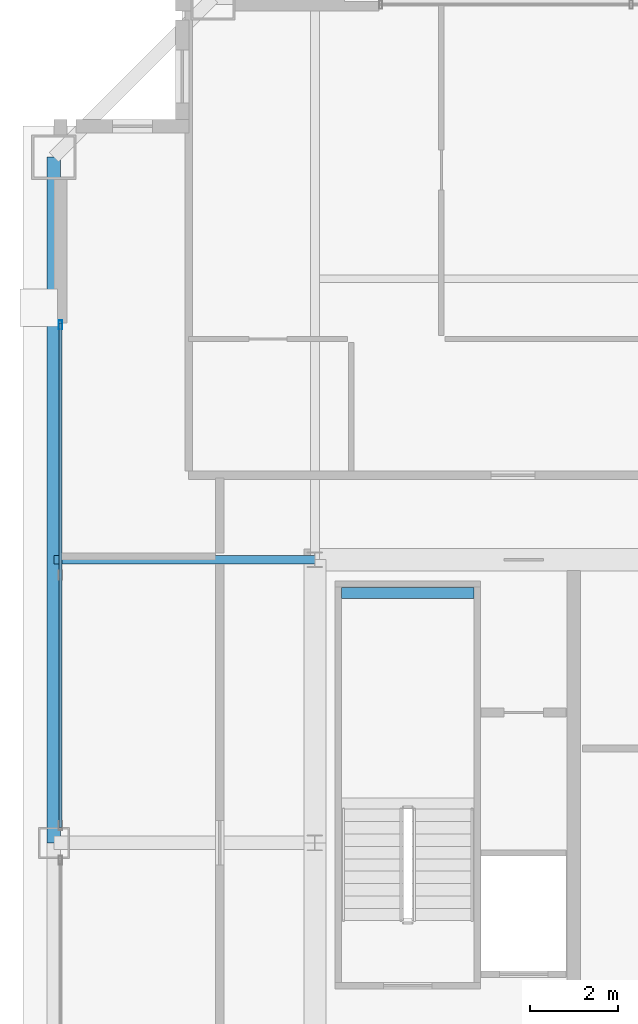
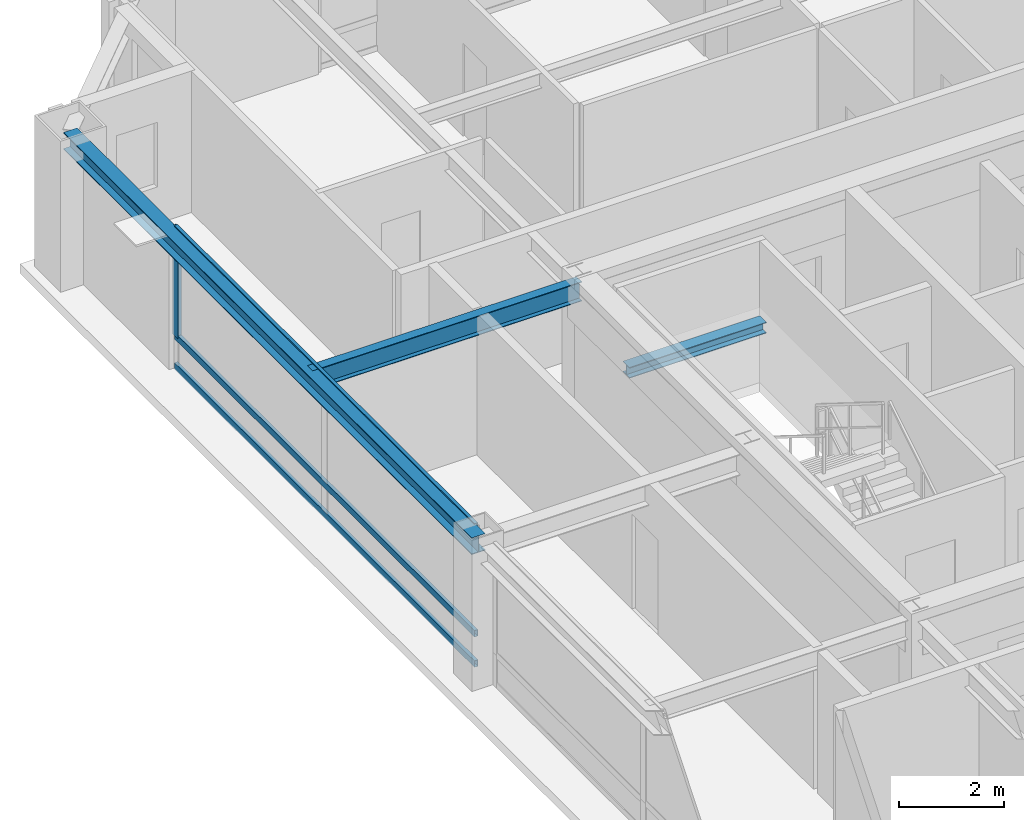
# One storey, part 12 of 35: 4 members, 3 beams, 1 element without a shape of its own.
"""IFC4 building model written with IfcOpenShell, lengths in metres."""

from ifc_helpers import new_model, si_unit, direction, frame, origin, origin_2d, place, context, subcontext, project, spatial, hollow_rectangle, i_section, extrude, source, transform, mapped, material, layer, layer_set, material_profile, profile_set, type_object, element, aggregate, save


model = new_model("IFC4")

# Units and contexts
model_context = context("Model", 3, precision=1e-05, world=origin(), true_north=direction((0.0, 1.0)))
body_context = subcontext(model_context, "Body", "Model", "MODEL_VIEW")
ifc_project = project(units=[si_unit("LENGTHUNIT", "METRE"), si_unit("AREAUNIT", "SQUARE_METRE"), si_unit("VOLUMEUNIT", "CUBIC_METRE"), si_unit("PLANEANGLEUNIT", "RADIAN"), si_unit("MASSUNIT", "GRAM", prefix="KILO"), si_unit("THERMODYNAMICTEMPERATUREUNIT", "KELVIN"), si_unit("POWERUNIT", "WATT")], contexts=[model_context])

# Site, building, storey
site_placement = place(None, origin())
site = spatial("IfcSite", under=ifc_project, at=site_placement, CompositionType="ELEMENT")
building_placement = place(site_placement, origin())
building = spatial("IfcBuilding", under=site, at=building_placement, Name="Yuzanri Waterfront Tower", CompositionType="ELEMENT")
storey_placement = place(building_placement, frame((0.0, 0.0, 318.199951171875)))
storey = spatial("IfcBuildingStorey", under=building, at=storey_placement, Name="L85", CompositionType="ELEMENT", Elevation=318.199951171875)

# Beams
ifc_material_1 = material(Name="Steel Q355B", Category="steel")
ifc_material_profile_1 = material_profile(ifc_material_1, i_section(OverallWidth=0.300048828125, OverallDepth=0.389892578125, WebThickness=0.010009765625, FlangeThickness=0.01611328125, at=origin_2d()), Name="HM 390x300x10x16")
ifc_profile_set_1 = profile_set([ifc_material_profile_1], Name="Steel Q355B")
beam_type_1 = type_object("IfcBeamType", Name="Perimeter Spandrel Q355B HM 390x300", PredefinedType="SPANDREL", material=ifc_profile_set_1)
shared_shape_1 = source(origin(), body_context, "Body", "SweptSolid", [
    extrude(i_section(OverallWidth=0.300048828125, OverallDepth=0.389892578125, WebThickness=0.010009765625, FlangeThickness=0.01611328125, at=origin_2d()), origin(), (0.0, 0.0, 1.0), 15.5),
])
beam_1_placement = place(storey_placement, frame((17.89990234375, 41.300048828125, 3.0849609375), z_axis=(0.0, -1.0, 0.0), x_axis=(1.0, 0.0, 0.0)))
element("IfcBeam", 1, at=beam_1_placement, inside=storey, type_object=beam_type_1, Name="L85 Perimeter Spandrel W3-W2", PredefinedType="SPANDREL", context=body_context, shape_type="MappedRepresentation", body=[
    mapped(shared_shape_1, transform((0.0, 0.0, 0.0), scale=1.0)),
])
ifc_material_2 = material(Name="Steel Q355B", Category="steel")
ifc_material_profile_2 = material_profile(ifc_material_2, i_section(OverallWidth=0.199951171875, OverallDepth=0.449951171875, WebThickness=0.009033203125, FlangeThickness=0.013916015625, at=origin_2d()), Name="HN 450x200x9x14")
ifc_profile_set_2 = profile_set([ifc_material_profile_2], Name="Steel Q355B")
beam_type_2 = type_object("IfcBeamType", Name="Secondary Floor Beam Q355B HN 450x200", PredefinedType="BEAM", material=ifc_profile_set_2)
shared_shape_2 = source(origin(), body_context, "Body", "SweptSolid", [
    extrude(i_section(OverallWidth=0.199951171875, OverallDepth=0.449951171875, WebThickness=0.009033203125, FlangeThickness=0.013916015625, at=origin_2d()), origin(), (0.0, 0.0, 1.0), 5.900146484375),
])
beam_2_placement = place(storey_placement, frame((23.800048828125, 32.199951171875, 3.054931640625), z_axis=(-1.0, 0.0, 0.0), x_axis=(0.0, -1.0, 0.0)))
element("IfcBeam", 2, at=beam_2_placement, inside=storey, type_object=beam_type_2, Name="L85 West-North Core Line Beam", PredefinedType="BEAM", context=body_context, shape_type="MappedRepresentation", body=[
    mapped(shared_shape_2, transform((0.0, 0.0, 0.0), scale=1.0)),
])

# Curtain wall, members
ifc_material_3 = material(Name="Anodized Architectural Bronze", Category="metal")
ifc_layer = layer(ifc_material_3, 0.159912109375)
ifc_layer_set = layer_set([ifc_layer], Name="Anodized Architectural Bronze")
curtain_wall_type = type_object("IfcCurtainWallType", Name="Anodized Bronze High-Rise Penthouse High-Wind Unitized Curtain Wall 6900", PredefinedType="NOTDEFINED", material=ifc_layer_set)
curtain_wall_placement = place(storey_placement, origin())
curtain_wall = element("IfcCurtainWall", 3, at=curtain_wall_placement, inside=storey, type_object=curtain_wall_type, Name="L85 Curtain Wall CW-L85-WR", PredefinedType="NOTDEFINED")
ifc_material_4 = material(Name="Anodized Architectural Bronze", Category="metal")
ifc_material_profile_3 = material_profile(ifc_material_4, hollow_rectangle(XDim=0.074951171875, YDim=0.199951171875, WallThickness=0.00390625, at=origin_2d()), Name="CWM 75x200")
ifc_profile_set_3 = profile_set([ifc_material_profile_3], Name="Anodized Architectural Bronze")
member_type_1 = type_object("IfcMemberType", Name="Anodized Bronze Primary Curtain-Wall Mullion 75x200", PredefinedType="MULLION", material=ifc_profile_set_3)
shared_shape_3 = source(origin(), body_context, "Body", "SweptSolid", [
    extrude(hollow_rectangle(XDim=0.074951171875, YDim=0.199951171875, WallThickness=0.00390625, at=origin_2d()), origin(), (0.0, 0.0, 1.0), 2.52392578125),
])
member_1_placement = place(storey_placement, frame((18.050048828125, 37.510009765625, 0.756103515625), z_axis=(0.0, 0.0, 1.0), x_axis=(1.0, 0.0, 0.0)))
member_1 = element("IfcMember", 4, at=member_1_placement, type_object=member_type_1, Name="CW-L85-WR Upper Mullion 02", PredefinedType="MULLION", context=body_context, shape_type="MappedRepresentation", body=[
    mapped(shared_shape_3, transform((0.0, 0.0, 0.0), scale=1.0)),
])
ifc_material_5 = material(Name="Anodized Architectural Bronze", Category="metal")
ifc_material_profile_4 = material_profile(ifc_material_5, hollow_rectangle(XDim=0.074951171875, YDim=0.14990234375, WallThickness=0.00390625, at=origin_2d()), Name="CWT 75x150")
ifc_profile_set_4 = profile_set([ifc_material_profile_4], Name="Anodized Architectural Bronze")
member_type_2 = type_object("IfcMemberType", Name="Anodized Bronze Primary Curtain-Wall Transom 75x150", PredefinedType="USERDEFINED", material=ifc_profile_set_4)
shared_shape_4 = source(origin(), body_context, "Body", "SweptSolid", [
    extrude(hollow_rectangle(XDim=0.074951171875, YDim=0.14990234375, WallThickness=0.00390625, at=origin_2d()), origin(), (0.0, 0.0, 1.0), 11.400146484375),
])
member_2_placement = place(storey_placement, frame((18.050048828125, 26.14990234375, 0.050048828125), z_axis=(0.0, 1.0, 0.0), x_axis=(-1.0, 0.0, 0.0)))
member_2 = element("IfcMember", 5, at=member_2_placement, type_object=member_type_2, Name="CW-L85-WR Transom 1", ObjectType="TRANSOM", PredefinedType="USERDEFINED", context=body_context, shape_type="MappedRepresentation", body=[
    mapped(shared_shape_4, transform((0.0, 0.0, 0.0), scale=1.0)),
])
member_3_placement = place(storey_placement, frame((18.050048828125, 26.14990234375, 0.754150390625), z_axis=(0.0, 1.0, 0.0), x_axis=(-1.0, 0.0, 0.0)))
member_3 = element("IfcMember", 6, at=member_3_placement, type_object=member_type_2, Name="CW-L85-WR Transom 2", ObjectType="TRANSOM", PredefinedType="USERDEFINED", context=body_context, shape_type="MappedRepresentation", body=[
    mapped(shared_shape_4, transform((0.0, 0.0, 0.0), scale=1.0)),
])
member_4_placement = place(storey_placement, frame((18.050048828125, 26.14990234375, 3.22998046875), z_axis=(0.0, 1.0, 0.0), x_axis=(-1.0, 0.0, 0.0)))
member_4 = element("IfcMember", 7, at=member_4_placement, type_object=member_type_2, Name="CW-L85-WR Transom 3", ObjectType="TRANSOM", PredefinedType="USERDEFINED", context=body_context, shape_type="MappedRepresentation", body=[
    mapped(shared_shape_4, transform((0.0, 0.0, 0.0), scale=1.0)),
])
aggregate(curtain_wall, [member_1, member_2, member_3, member_4])

# Beam
ifc_material_6 = material(Name="Steel Q355B", Category="steel")
ifc_material_profile_5 = material_profile(ifc_material_6, i_section(OverallWidth=0.25, OverallDepth=0.25, WebThickness=0.009033203125, FlangeThickness=0.013916015625, at=origin_2d()), Name="HW 250x250x9x14")
ifc_profile_set_5 = profile_set([ifc_material_profile_5], Name="Steel Q355B")
beam_type_3 = type_object("IfcBeamType", Name="Stair Landing Support Beam Q355B HW 250x250", PredefinedType="BEAM", material=ifc_profile_set_5)
shared_shape_5 = source(origin(), body_context, "Body", "SweptSolid", [
    extrude(i_section(OverallWidth=0.25, OverallDepth=0.25, WebThickness=0.009033203125, FlangeThickness=0.013916015625, at=origin_2d()), origin(), (0.0, 0.0, 1.0), 3.0),
])
beam_3_placement = place(storey_placement, frame((24.39990234375, 31.449951171875, 1.425048828125), z_axis=(1.0, 0.0, 0.0), x_axis=(0.0, 1.0, 0.0)))
element("IfcBeam", 8, at=beam_3_placement, inside=storey, type_object=beam_type_3, Name="L85 Stair Landing Support Beam ST-01-L85-L1-2", PredefinedType="BEAM", context=body_context, shape_type="MappedRepresentation", body=[
    mapped(shared_shape_5, transform((0.0, 0.0, 0.0), scale=1.0)),
])

save(model, "model.ifc")
